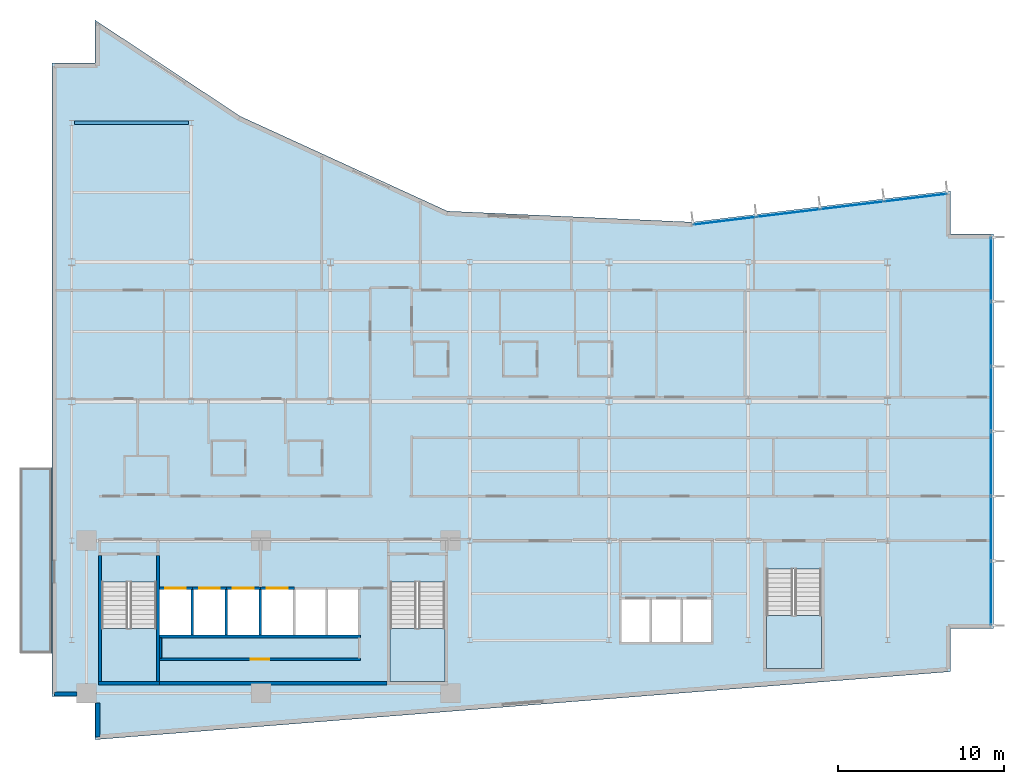
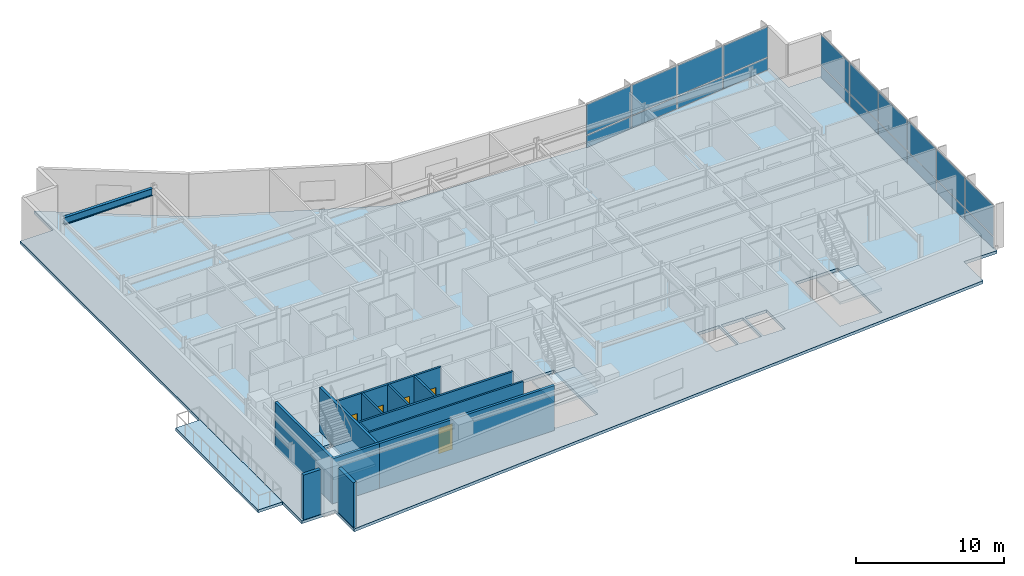
# One storey, part 9 of 18: 20 plates, 16 walls, 5 doors, 5 slabs, 1 beam, 5 openings, 5 elements without a shape of their own.
"""IFC4 building model written with IfcOpenShell, lengths in metres."""

from ifc_helpers import new_model, si_unit, direction, frame, frame_2d, origin, origin_2d, place, context, subcontext, project, spatial, polyline, rectangle, i_section, outline, extrude, material, layer, layer_set, material_profile, profile_set, type_object, element, fill, aggregate, save


model = new_model("IFC4")

# Units and contexts
model_context = context("Model", 3, precision=1e-05, world=origin(), true_north=direction((0.0, 1.0)))
body_context = subcontext(model_context, "Body", "Model", "MODEL_VIEW")
ifc_project = project(units=[si_unit("LENGTHUNIT", "METRE"), si_unit("AREAUNIT", "SQUARE_METRE"), si_unit("VOLUMEUNIT", "CUBIC_METRE"), si_unit("PLANEANGLEUNIT", "RADIAN"), si_unit("MASSUNIT", "GRAM", prefix="KILO")], contexts=[model_context])

# Site, building, storey
site_placement = place(None, origin())
site = spatial("IfcSite", under=ifc_project, at=site_placement, CompositionType="ELEMENT")
building_placement = place(site_placement, origin())
building = spatial("IfcBuilding", under=site, at=building_placement, Name="Varnakote Quay Hospital", CompositionType="ELEMENT")
storey_placement = place(building_placement, frame((0.0, 0.0, 158.64990234375)))
storey = spatial("IfcBuildingStorey", under=building, at=storey_placement, Name="L39", CompositionType="ELEMENT", Elevation=158.64990234375)

# Beam
ifc_material_1 = material(Name="Structural steel AS/NZS 3679.1 Grade 350 L0 (fy 340 MPa)", Category="steel")
ifc_material_profile = material_profile(ifc_material_1, i_section(OverallWidth=0.22802734375, OverallDepth=0.60205078125, WebThickness=0.010498046875, FlangeThickness=0.014892578125, FilletRadius=0.013916015625, at=origin_2d()), Name="610UB101")
ifc_profile_set = profile_set([ifc_material_profile], Name="Structural steel AS/NZS 3679.1 Grade 350 L0 (fy 340 MPa)")
beam_type = type_object("IfcBeamType", Name="BM-STL-610UB101", PredefinedType="BEAM", material=ifc_profile_set)
beam_placement = place(storey_placement, frame((1.353515625, 37.199951171875, 3.4091796875), z_axis=(1.0, 0.0, 0.0), x_axis=(0.0, 1.0, 0.0)))
element("IfcBeam", 1, at=beam_placement, inside=storey, type_object=beam_type, Name="L39 Primary Floor Beam", PredefinedType="BEAM", context=body_context, shape_type="SweptSolid", body=[
    extrude(i_section(OverallWidth=0.22802734375, OverallDepth=0.60205078125, WebThickness=0.010498046875, FlangeThickness=0.014892578125, FilletRadius=0.013916015625, at=origin_2d()), origin(), (0.0, 0.0, 1.0), 6.89306640625),
])

# Curtain wall, plates
ifc_material_2 = material(Name="Anodised aluminium 6063-T6 Bronze", Category="aluminium")
ifc_layer_1 = layer(ifc_material_2, 0.205078125)
ifc_layer_set_1 = layer_set([ifc_layer_1], Name="Anodised aluminium 6063-T6 Bronze")
curtain_wall_type = type_object("IfcCurtainWallType", Name="CW-SYS-3", PredefinedType="NOTDEFINED", material=ifc_layer_set_1)
curtain_wall_1_placement = place(storey_placement, origin())
curtain_wall_1 = element("IfcCurtainWall", 2, at=curtain_wall_1_placement, inside=storey, type_object=curtain_wall_type, Name="L39 Unitised Bronze Curtain Wall 1", PredefinedType="NOTDEFINED")
ifc_material_3 = material(Name="Double-glazed low-E solar glass", Category="glass")
ifc_layer_2 = layer(ifc_material_3, 0.028076171875)
ifc_layer_set_2 = layer_set([ifc_layer_2], Name="Double-glazed low-E solar glass")
plate_type = type_object("IfcPlateType", Name="CW-PNL-GLZ-28", PredefinedType="CURTAIN_PANEL", material=ifc_layer_set_2)
plate_1_placement = place(storey_placement, frame((56.639892578125, 8.83544921875, 0.0751953125), z_axis=(0.0, 0.0, 1.0), x_axis=(0.0, 1.0, 0.0)))
plate_1 = element("IfcPlate", 3, at=plate_1_placement, type_object=plate_type, Name="-3-L39-1 panel 1.1", PredefinedType="CURTAIN_PANEL", context=body_context, shape_type="SweptSolid", body=[
    extrude(rectangle(XDim=3.80078125, YDim=0.028076171875, at=origin_2d()), origin(), (0.0, 0.0, 1.0), 0.987548828125),
])
plate_2_placement = place(storey_placement, frame((56.639892578125, 8.83544921875, 1.137451171875), z_axis=(0.0, 0.0, 1.0), x_axis=(0.0, 1.0, 0.0)))
plate_2 = element("IfcPlate", 4, at=plate_2_placement, type_object=plate_type, Name="-3-L39-1 panel 1.2", PredefinedType="CURTAIN_PANEL", context=body_context, shape_type="SweptSolid", body=[
    extrude(rectangle(XDim=3.80078125, YDim=0.028076171875, at=origin_2d()), origin(), (0.0, 0.0, 1.0), 2.49755859375),
])
plate_3_placement = place(storey_placement, frame((56.639892578125, 12.72998046875, 0.0751953125), z_axis=(0.0, 0.0, 1.0), x_axis=(0.0, 1.0, 0.0)))
plate_3 = element("IfcPlate", 5, at=plate_3_placement, type_object=plate_type, Name="-3-L39-1 panel 2.1", PredefinedType="CURTAIN_PANEL", context=body_context, shape_type="SweptSolid", body=[
    extrude(rectangle(XDim=3.83837890625, YDim=0.028076171875, at=origin_2d()), origin(), (0.0, 0.0, 1.0), 0.987548828125),
])
plate_4_placement = place(storey_placement, frame((56.639892578125, 12.72998046875, 1.137451171875), z_axis=(0.0, 0.0, 1.0), x_axis=(0.0, 1.0, 0.0)))
plate_4 = element("IfcPlate", 6, at=plate_4_placement, type_object=plate_type, Name="-3-L39-1 panel 2.2", PredefinedType="CURTAIN_PANEL", context=body_context, shape_type="SweptSolid", body=[
    extrude(rectangle(XDim=3.83837890625, YDim=0.028076171875, at=origin_2d()), origin(), (0.0, 0.0, 1.0), 2.49755859375),
])
plate_5_placement = place(storey_placement, frame((56.639892578125, 16.643310546875, 0.0751953125), z_axis=(0.0, 0.0, 1.0), x_axis=(0.0, 1.0, 0.0)))
plate_5 = element("IfcPlate", 7, at=plate_5_placement, type_object=plate_type, Name="-3-L39-1 panel 3.1", PredefinedType="CURTAIN_PANEL", context=body_context, shape_type="SweptSolid", body=[
    extrude(rectangle(XDim=3.83837890625, YDim=0.028076171875, at=origin_2d()), origin(), (0.0, 0.0, 1.0), 0.987548828125),
])
plate_6_placement = place(storey_placement, frame((56.639892578125, 16.643310546875, 1.137451171875), z_axis=(0.0, 0.0, 1.0), x_axis=(0.0, 1.0, 0.0)))
plate_6 = element("IfcPlate", 8, at=plate_6_placement, type_object=plate_type, Name="-3-L39-1 panel 3.2", PredefinedType="CURTAIN_PANEL", context=body_context, shape_type="SweptSolid", body=[
    extrude(rectangle(XDim=3.83837890625, YDim=0.028076171875, at=origin_2d()), origin(), (0.0, 0.0, 1.0), 2.49755859375),
])
plate_7_placement = place(storey_placement, frame((56.639892578125, 20.556640625, 0.0751953125), z_axis=(0.0, 0.0, 1.0), x_axis=(0.0, 1.0, 0.0)))
plate_7 = element("IfcPlate", 9, at=plate_7_placement, type_object=plate_type, Name="-3-L39-1 panel 4.1", PredefinedType="CURTAIN_PANEL", context=body_context, shape_type="SweptSolid", body=[
    extrude(rectangle(XDim=3.83837890625, YDim=0.028076171875, at=origin_2d()), origin(), (0.0, 0.0, 1.0), 0.987548828125),
])
plate_8_placement = place(storey_placement, frame((56.639892578125, 20.556640625, 1.137451171875), z_axis=(0.0, 0.0, 1.0), x_axis=(0.0, 1.0, 0.0)))
plate_8 = element("IfcPlate", 10, at=plate_8_placement, type_object=plate_type, Name="-3-L39-1 panel 4.2", PredefinedType="CURTAIN_PANEL", context=body_context, shape_type="SweptSolid", body=[
    extrude(rectangle(XDim=3.83837890625, YDim=0.028076171875, at=origin_2d()), origin(), (0.0, 0.0, 1.0), 2.49755859375),
])
plate_9_placement = place(storey_placement, frame((56.639892578125, 24.469970703125, 0.0751953125), z_axis=(0.0, 0.0, 1.0), x_axis=(0.0, 1.0, 0.0)))
plate_9 = element("IfcPlate", 11, at=plate_9_placement, type_object=plate_type, Name="-3-L39-1 panel 5.1", PredefinedType="CURTAIN_PANEL", context=body_context, shape_type="SweptSolid", body=[
    extrude(rectangle(XDim=3.83837890625, YDim=0.028076171875, at=origin_2d()), origin(), (0.0, 0.0, 1.0), 0.987548828125),
])
plate_10_placement = place(storey_placement, frame((56.639892578125, 24.469970703125, 1.137451171875), z_axis=(0.0, 0.0, 1.0), x_axis=(0.0, 1.0, 0.0)))
plate_10 = element("IfcPlate", 12, at=plate_10_placement, type_object=plate_type, Name="-3-L39-1 panel 5.2", PredefinedType="CURTAIN_PANEL", context=body_context, shape_type="SweptSolid", body=[
    extrude(rectangle(XDim=3.83837890625, YDim=0.028076171875, at=origin_2d()), origin(), (0.0, 0.0, 1.0), 2.49755859375),
])
plate_11_placement = place(storey_placement, frame((56.639892578125, 28.364501953125, 0.0751953125), z_axis=(0.0, 0.0, 1.0), x_axis=(0.0, 1.0, 0.0)))
plate_11 = element("IfcPlate", 13, at=plate_11_placement, type_object=plate_type, Name="-3-L39-1 panel 6.1", PredefinedType="CURTAIN_PANEL", context=body_context, shape_type="SweptSolid", body=[
    extrude(rectangle(XDim=3.80078125, YDim=0.028076171875, at=origin_2d()), origin(), (0.0, 0.0, 1.0), 0.987548828125),
])
plate_12_placement = place(storey_placement, frame((56.639892578125, 28.364501953125, 1.137451171875), z_axis=(0.0, 0.0, 1.0), x_axis=(0.0, 1.0, 0.0)))
plate_12 = element("IfcPlate", 14, at=plate_12_placement, type_object=plate_type, Name="-3-L39-1 panel 6.2", PredefinedType="CURTAIN_PANEL", context=body_context, shape_type="SweptSolid", body=[
    extrude(rectangle(XDim=3.80078125, YDim=0.028076171875, at=origin_2d()), origin(), (0.0, 0.0, 1.0), 2.49755859375),
])
aggregate(curtain_wall_1, [plate_1, plate_2, plate_3, plate_4, plate_5, plate_6, plate_7, plate_8, plate_9, plate_10, plate_11, plate_12])

curtain_wall_2_placement = place(storey_placement, origin())
curtain_wall_2 = element("IfcCurtainWall", 15, at=curtain_wall_2_placement, inside=storey, type_object=curtain_wall_type, Name="L39 Unitised Bronze Curtain Wall 2", PredefinedType="NOTDEFINED")
plate_13_placement = place(storey_placement, frame((52.09521484375, 32.68359375, 0.0751953125), z_axis=(0.0, 0.0, 1.0), x_axis=(-0.992734295067, -0.12032713492, 0.0)))
plate_13 = element("IfcPlate", 16, at=plate_13_placement, type_object=plate_type, Name="-3-L39-2 panel 1.1", PredefinedType="CURTAIN_PANEL", context=body_context, shape_type="SweptSolid", body=[
    extrude(rectangle(XDim=3.76806640625, YDim=0.028076171875, at=origin_2d()), origin(), (0.0, 0.0, 1.0), 0.987548828125),
])
plate_14_placement = place(storey_placement, frame((52.09521484375, 32.68359375, 1.137451171875), z_axis=(0.0, 0.0, 1.0), x_axis=(-0.992734295067, -0.12032713492, 0.0)))
plate_14 = element("IfcPlate", 17, at=plate_14_placement, type_object=plate_type, Name="-3-L39-2 panel 1.2", PredefinedType="CURTAIN_PANEL", context=body_context, shape_type="SweptSolid", body=[
    extrude(rectangle(XDim=3.76806640625, YDim=0.028076171875, at=origin_2d()), origin(), (0.0, 0.0, 1.0), 2.49755859375),
])
plate_15_placement = place(storey_placement, frame((48.26123046875, 32.218994140625, 0.0751953125), z_axis=(0.0, 0.0, 1.0), x_axis=(-0.992734295067, -0.12032713492, 0.0)))
plate_15 = element("IfcPlate", 18, at=plate_15_placement, type_object=plate_type, Name="-3-L39-2 panel 2.1", PredefinedType="CURTAIN_PANEL", context=body_context, shape_type="SweptSolid", body=[
    extrude(rectangle(XDim=3.8056640625, YDim=0.028076171875, at=origin_2d()), origin(), (0.0, 0.0, 1.0), 0.987548828125),
])
plate_16_placement = place(storey_placement, frame((48.26123046875, 32.218994140625, 1.137451171875), z_axis=(0.0, 0.0, 1.0), x_axis=(-0.992734295067, -0.12032713492, 0.0)))
plate_16 = element("IfcPlate", 19, at=plate_16_placement, type_object=plate_type, Name="-3-L39-2 panel 2.2", PredefinedType="CURTAIN_PANEL", context=body_context, shape_type="SweptSolid", body=[
    extrude(rectangle(XDim=3.8056640625, YDim=0.028076171875, at=origin_2d()), origin(), (0.0, 0.0, 1.0), 2.49755859375),
])
plate_17_placement = place(storey_placement, frame((44.40869140625, 31.751953125, 0.0751953125), z_axis=(0.0, 0.0, 1.0), x_axis=(-0.992734295067, -0.12032713492, 0.0)))
plate_17 = element("IfcPlate", 20, at=plate_17_placement, type_object=plate_type, Name="-3-L39-2 panel 3.1", PredefinedType="CURTAIN_PANEL", context=body_context, shape_type="SweptSolid", body=[
    extrude(rectangle(XDim=3.8056640625, YDim=0.028076171875, at=origin_2d()), origin(), (0.0, 0.0, 1.0), 0.987548828125),
])
plate_18_placement = place(storey_placement, frame((44.40869140625, 31.751953125, 1.137451171875), z_axis=(0.0, 0.0, 1.0), x_axis=(-0.992734295067, -0.12032713492, 0.0)))
plate_18 = element("IfcPlate", 21, at=plate_18_placement, type_object=plate_type, Name="-3-L39-2 panel 3.2", PredefinedType="CURTAIN_PANEL", context=body_context, shape_type="SweptSolid", body=[
    extrude(rectangle(XDim=3.8056640625, YDim=0.028076171875, at=origin_2d()), origin(), (0.0, 0.0, 1.0), 2.49755859375),
])
plate_19_placement = place(storey_placement, frame((40.574951171875, 31.287353515625, 0.0751953125), z_axis=(0.0, 0.0, 1.0), x_axis=(-0.992734295067, -0.12032713492, 0.0)))
plate_19 = element("IfcPlate", 22, at=plate_19_placement, type_object=plate_type, Name="-3-L39-2 panel 4.1", PredefinedType="CURTAIN_PANEL", context=body_context, shape_type="SweptSolid", body=[
    extrude(rectangle(XDim=3.76806640625, YDim=0.028076171875, at=origin_2d()), origin(), (0.0, 0.0, 1.0), 0.987548828125),
])
plate_20_placement = place(storey_placement, frame((40.574951171875, 31.287353515625, 1.137451171875), z_axis=(0.0, 0.0, 1.0), x_axis=(-0.992734295067, -0.12032713492, 0.0)))
plate_20 = element("IfcPlate", 23, at=plate_20_placement, type_object=plate_type, Name="-3-L39-2 panel 4.2", PredefinedType="CURTAIN_PANEL", context=body_context, shape_type="SweptSolid", body=[
    extrude(rectangle(XDim=3.76806640625, YDim=0.028076171875, at=origin_2d()), origin(), (0.0, 0.0, 1.0), 2.49755859375),
])
aggregate(curtain_wall_2, [plate_13, plate_14, plate_15, plate_16, plate_17, plate_18, plate_19, plate_20])

# Stair, slab
ifc_material_4 = material(Name="Concrete N40 (f'c 40 MPa)", Category="concrete")
stair_type = type_object("IfcStairType", Name="STR-CORE-1580", PredefinedType="HALF_TURN_STAIR", material=ifc_material_4)
stair_1_placement = place(storey_placement, origin())
stair_1 = element("IfcStair", 24, at=stair_1_placement, inside=storey, type_object=stair_type, Name="L39 Fire-Isolated Exit Stair ST-01", PredefinedType="HALF_TURN_STAIR")
ifc_material_5 = material(Name="Concrete N40 (f'c 40 MPa)", Category="concrete")
ifc_layer_3 = layer(ifc_material_5, 0.199951171875)
ifc_layer_set_3 = layer_set([ifc_layer_3], Name="Concrete N40 (f'c 40 MPa)")
slab_type_1 = type_object("IfcSlabType", Name="SLB-STAIR-LND-200", PredefinedType="LANDING", material=ifc_layer_set_3)
slab_1_placement = place(storey_placement, frame((0.0, 0.0, 1.775146484375)))
slab_1 = element("IfcSlab", 25, at=slab_1_placement, type_object=slab_type_1, Name="ST-01 landing 1", PredefinedType="LANDING", context=body_context, shape_type="SweptSolid", body=[
    extrude(outline(polyline([(3.0, 6.699951171875), (3.0, 3.5), (6.300048828125, 3.5), (6.300048828125, 6.699951171875), (3.0, 6.699951171875)])), origin(), (0.0, 0.0, 1.0), 0.199951171875),
])
aggregate(stair_1, [slab_1])

stair_2_placement = place(storey_placement, origin())
stair_2 = element("IfcStair", 26, at=stair_2_placement, inside=storey, type_object=stair_type, Name="L39 Fire-Isolated Exit Stair ST-02", PredefinedType="HALF_TURN_STAIR")
slab_2_placement = place(storey_placement, frame((0.0, 0.0, 1.775146484375)))
slab_2 = element("IfcSlab", 27, at=slab_2_placement, type_object=slab_type_1, Name="ST-02 landing 1", PredefinedType="LANDING", context=body_context, shape_type="SweptSolid", body=[
    extrude(outline(polyline([(20.39990234375, 6.699951171875), (20.39990234375, 3.5), (23.699951171875, 3.5), (23.699951171875, 6.699951171875), (20.39990234375, 6.699951171875)])), origin(), (0.0, 0.0, 1.0), 0.199951171875),
])
aggregate(stair_2, [slab_2])

stair_3_placement = place(storey_placement, origin())
stair_3 = element("IfcStair", 28, at=stair_3_placement, inside=storey, type_object=stair_type, Name="L39 Fire-Isolated Exit Stair ST-03", PredefinedType="HALF_TURN_STAIR")
slab_3_placement = place(storey_placement, frame((0.0, 0.0, 1.775146484375)))
slab_3 = element("IfcSlab", 29, at=slab_3_placement, type_object=slab_type_1, Name="ST-03 landing 1", PredefinedType="LANDING", context=body_context, shape_type="SweptSolid", body=[
    extrude(outline(polyline([(43.10009765625, 7.5), (43.10009765625, 4.300048828125), (46.39990234375, 4.300048828125), (46.39990234375, 7.5), (43.10009765625, 7.5)])), origin(), (0.0, 0.0, 1.0), 0.199951171875),
])
aggregate(stair_3, [slab_3])

# Slabs
ifc_material_6 = material(Name="Concrete N50 (f'c 50 MPa)", Category="concrete")
ifc_layer_4 = layer(ifc_material_6, 0.239990234375)
ifc_layer_set_4 = layer_set([ifc_layer_4], Name="Concrete N50 (f'c 50 MPa)")
slab_type_2 = type_object("IfcSlabType", Name="SLB-TERR-200", PredefinedType="FLOOR", material=ifc_layer_set_4)
slab_4_placement = place(storey_placement, frame((0.0, 0.0, -0.239990234375)))
element("IfcSlab", 30, at=slab_4_placement, inside=storey, type_object=slab_type_2, Name="L39 Waterfront Healing Terrace Slab", PredefinedType="FLOOR", context=body_context, shape_type="SweptSolid", body=[
    extrude(outline(polyline([(0.00390625, 5.199951171875), (0.00390625, 16.39990234375), (-1.919921875, 16.39990234375), (-1.919921875, 5.199951171875), (0.00390625, 5.199951171875)])), origin(), (0.0, 0.0, 1.0), 0.239990234375),
])
ifc_material_7 = material(Name="Concrete N50 (f'c 50 MPa)", Category="concrete")
ifc_layer_5 = layer(ifc_material_7, 0.239990234375)
ifc_layer_set_5 = layer_set([ifc_layer_5], Name="Concrete N50 (f'c 50 MPa)")
slab_type_3 = type_object("IfcSlabType", Name="SLB-WARD-200", PredefinedType="FLOOR", material=ifc_layer_set_5)
slab_5_placement = place(storey_placement, frame((0.0, 0.0, -0.239990234375)))
element("IfcSlab", 31, at=slab_5_placement, inside=storey, type_object=slab_type_3, Name="L39 Primary Floor Slab", PredefinedType="FLOOR", context=body_context, shape_type="SweptSolid", body=[
    extrude(outline(polyline([(0.0, 2.60009765625), (2.60009765625, 2.60009765625), (2.60009765625, 0.0), (54.199951171875, 4.10009765625), (54.199951171875, 6.699951171875), (56.800048828125, 6.699951171875), (56.800048828125, 30.5), (54.199951171875, 30.5), (54.199951171875, 33.10009765625), (38.6240234375, 31.2119140625), (23.85595703125, 31.8740234375), (11.360107421875, 37.595947265625), (2.60009765625, 43.39990234375), (2.60009765625, 40.800048828125), (0.0, 40.800048828125), (0.0, 2.60009765625)]), holes=[polyline([(3.0, 3.5), (6.300048828125, 3.5), (6.300048828125, 9.49951171875), (3.0, 9.49951171875), (3.0, 3.5)]), polyline([(20.39990234375, 3.5), (23.699951171875, 3.5), (23.699951171875, 9.49951171875), (20.39990234375, 9.49951171875), (20.39990234375, 3.5)]), polyline([(43.10009765625, 4.300048828125), (46.39990234375, 4.300048828125), (46.39990234375, 10.29931640625), (43.10009765625, 10.29931640625), (43.10009765625, 4.300048828125)]), polyline([(6.5, 6.300048828125), (8.39990234375, 6.300048828125), (8.39990234375, 9.050048828125), (6.5, 9.050048828125), (6.5, 6.300048828125)]), polyline([(8.550048828125, 6.300048828125), (10.449951171875, 6.300048828125), (10.449951171875, 9.050048828125), (8.550048828125, 9.050048828125), (8.550048828125, 6.300048828125)]), polyline([(10.60009765625, 6.300048828125), (12.5, 6.300048828125), (12.5, 9.050048828125), (10.60009765625, 9.050048828125), (10.60009765625, 6.300048828125)]), polyline([(12.64990234375, 6.300048828125), (14.550048828125, 6.300048828125), (14.550048828125, 9.050048828125), (12.64990234375, 9.050048828125), (12.64990234375, 6.300048828125)]), polyline([(14.699951171875, 6.300048828125), (16.5, 6.300048828125), (16.5, 9.050048828125), (14.699951171875, 9.050048828125), (14.699951171875, 6.300048828125)]), polyline([(16.64990234375, 6.300048828125), (18.449951171875, 6.300048828125), (18.449951171875, 9.050048828125), (16.64990234375, 9.050048828125), (16.64990234375, 6.300048828125)]), polyline([(34.35009765625, 5.89990234375), (36.050048828125, 5.89990234375), (36.050048828125, 8.449951171875), (34.35009765625, 8.449951171875), (34.35009765625, 5.89990234375)]), polyline([(36.199951171875, 5.89990234375), (37.89990234375, 5.89990234375), (37.89990234375, 8.449951171875), (36.199951171875, 8.449951171875), (36.199951171875, 5.89990234375)]), polyline([(38.050048828125, 5.89990234375), (39.75, 5.89990234375), (39.75, 8.449951171875), (38.050048828125, 8.449951171875), (38.050048828125, 5.89990234375)])]), origin(), (0.0, 0.0, 1.0), 0.239990234375),
])

# Walls
ifc_material_8 = material(Name="Concrete N65 (f'c 65 MPa)", Category="concrete")
ifc_layer_6 = layer(ifc_material_8, 0.199951171875)
ifc_layer_set_6 = layer_set([ifc_layer_6], Name="Concrete N65 (f'c 65 MPa)")
wall_type_1 = type_object("IfcWallType", Name="WL-CORE-N65-200", PredefinedType="SHEAR", material=ifc_layer_set_6)
wall_1_placement = place(storey_placement, frame((6.5, 3.39990234375, 0.0), z_axis=(0.0, 0.0, 1.0), x_axis=(1.0, 0.0, 0.0)))
element("IfcWall", 32, at=wall_1_placement, inside=storey, type_object=wall_type_1, Name="L39 Rear Core South Shear Wall", PredefinedType="SHEAR", context=body_context, shape_type="SweptSolid", body=[
    extrude(rectangle(XDim=13.699951171875, YDim=0.199951171875, at=frame_2d((6.85009765625, 0.0))), origin(), (0.0, 0.0, 1.0), 3.710205078125),
])
ifc_material_9 = material(Name="Precast concrete N50 (f'c 50 MPa)", Category="concrete")
ifc_layer_7 = layer(ifc_material_9, 0.260009765625)
ifc_layer_set_7 = layer_set([ifc_layer_7], Name="Precast concrete N50 (f'c 50 MPa)")
wall_type_2 = type_object("IfcWallType", Name="WL-EXT-BRICK-260", PredefinedType="STANDARD", material=ifc_layer_set_7)
wall_2_placement = place(storey_placement, frame((2.760009765625, 2.215087890625, 0.0), z_axis=(0.0, 0.0, 1.0), x_axis=(0.0, -1.0, 0.0)))
element("IfcWall", 33, at=wall_2_placement, inside=storey, type_object=wall_type_2, Name="L39 Brick-Faced Precast Exterior Wall", PredefinedType="STANDARD", context=body_context, shape_type="SweptSolid", body=[
    extrude(rectangle(XDim=2.0419921875, YDim=0.260009765625, at=frame_2d((1.02099609375, 0.0))), origin(), (0.0, 0.0, 1.0), 3.710205078125),
])
wall_3_placement = place(storey_placement, frame((0.159912109375, 2.760009765625, 0.0), z_axis=(0.0, 0.0, 1.0), x_axis=(1.0, 0.0, 0.0)))
element("IfcWall", 34, at=wall_3_placement, inside=storey, type_object=wall_type_2, Name="L39 Brick-Faced Precast Exterior Wall", PredefinedType="STANDARD", context=body_context, shape_type="SweptSolid", body=[
    extrude(rectangle(XDim=1.35498046875, YDim=0.260009765625, at=frame_2d((0.677490234375, 0.0))), origin(), (0.0, 0.0, 1.0), 3.710205078125),
])
ifc_material_10 = material(Name="Concrete N50 (f'c 50 MPa)", Category="concrete")
ifc_layer_8 = layer(ifc_material_10, 0.14990234375)
ifc_layer_set_8 = layer_set([ifc_layer_8], Name="Concrete N50 (f'c 50 MPa)")
wall_type_3 = type_object("IfcWallType", Name="WL-SHAFT-N50-150", PredefinedType="SHEAR", material=ifc_layer_set_8)
for number, where, z_axis, x_axis, name in (
    (35, (8.47509765625, 6.300048828125, 0.0), (0.0, 0.0, 1.0), (0.0, 1.0, 0.0), "L39 LF-FF1 Hoistway Divider Wall"),
    (36, (10.52490234375, 6.300048828125, 0.0), (0.0, 0.0, 1.0), (0.0, 1.0, 0.0), "L39 LF-FF2 Hoistway Divider Wall"),
    (37, (12.574951171875, 6.300048828125, 0.0), (0.0, 0.0, 1.0), (0.0, 1.0, 0.0), "L39 LF-SV1 Hoistway Divider Wall"),
):
    element("IfcWall", number, at=place(storey_placement, frame(where, z_axis=z_axis, x_axis=x_axis)), inside=storey, type_object=wall_type_3, Name=name, PredefinedType="SHEAR", context=body_context, shape_type="SweptSolid", body=[
        extrude(rectangle(XDim=2.75, YDim=0.14990234375, at=frame_2d((1.375, 0.0))), origin(), (0.0, 0.0, 1.0), 3.710205078125),
    ])
ifc_material_11 = material(Name="Concrete N50 (f'c 50 MPa)", Category="concrete")
ifc_layer_9 = layer(ifc_material_11, 0.159912109375)
ifc_layer_set_9 = layer_set([ifc_layer_9], Name="Concrete N50 (f'c 50 MPa)")
wall_type_4 = type_object("IfcWallType", Name="WL-SHAFT-N50-160", PredefinedType="SHEAR", material=ifc_layer_set_9)
wall_4_placement = place(storey_placement, frame((6.5, 6.219970703125, 0.0), z_axis=(0.0, 0.0, 1.0), x_axis=(1.0, 0.0, 0.0)))
element("IfcWall", 38, at=wall_4_placement, inside=storey, type_object=wall_type_4, Name="L39 REAR Lift Bank Back Shear Wall", PredefinedType="SHEAR", context=body_context, shape_type="SweptSolid", body=[
    extrude(rectangle(XDim=12.110107421875, YDim=0.159912109375, at=frame_2d((6.05517578125, 0.0))), origin(), (0.0, 0.0, 1.0), 3.710205078125),
])

# Wall, opening, door
wall_5_placement = place(storey_placement, frame((6.5, 9.1298828125, 0.0), z_axis=(0.0, 0.0, 1.0), x_axis=(1.0, 0.0, 0.0)))
wall_5 = element("IfcWall", 39, at=wall_5_placement, inside=storey, type_object=wall_type_4, Name="L39 LF-FF1 Hoistway Front Wall", PredefinedType="SHEAR", context=body_context, shape_type="SweptSolid", body=[
    extrude(rectangle(XDim=1.97509765625, YDim=0.159912109375, at=frame_2d((0.987548828125, 0.0))), origin(), (0.0, 0.0, 1.0), 3.710205078125),
])
opening_1_placement = place(wall_5_placement, frame((0.324951171875, 0.0, 0.0)))
opening_1 = element("IfcOpeningElement", 40, at=opening_1_placement, cuts=wall_5, Name="Opening LD-FF1-L39", PredefinedType="OPENING", context=body_context, shape_type="SweptSolid", body=[
    extrude(rectangle(XDim=1.25, YDim=2.14990234375, at=frame_2d((0.625, 1.074951171875))), frame((0.0, 0.08984375, 0.0), z_axis=(0.0, -1.0, 0.0), x_axis=(1.0, 0.0, 0.0)), (0.0, 0.0, 1.0), 0.179931640625),
])
ifc_material_12 = material(Name="Stainless steel lift landing sliding door", Category="steel")
door_type_1 = type_object("IfcDoorType", Name="DR-LIFT-LD-1250x2150", OperationType="NOTDEFINED", PredefinedType="DOOR", material=ifc_material_12)
door_1_placement = place(opening_1_placement, origin())
door_1 = element("IfcDoor", 41, at=door_1_placement, inside=storey, type_object=door_type_1, Name="L39 LF-FF1 Lift Landing Sliding Door", OperationType="SLIDING_TO_LEFT", OverallHeight=2.14990234375, OverallWidth=1.25, PredefinedType="DOOR", context=body_context, shape_type="SweptSolid", body=[
    extrude(rectangle(XDim=1.25, YDim=2.14990234375, at=frame_2d((0.625, 1.074951171875))), frame((0.0, 0.02490234375, 0.0), z_axis=(0.0, -1.0, 0.0), x_axis=(1.0, 0.0, 0.0)), (0.0, 0.0, 1.0), 0.050048828125),
])
fill(opening_1, door_1)

wall_6_placement = place(storey_placement, frame((8.47509765625, 9.1298828125, 0.0), z_axis=(0.0, 0.0, 1.0), x_axis=(1.0, 0.0, 0.0)))
wall_6 = element("IfcWall", 42, at=wall_6_placement, inside=storey, type_object=wall_type_4, Name="L39 LF-FF2 Hoistway Front Wall", PredefinedType="SHEAR", context=body_context, shape_type="SweptSolid", body=[
    extrude(rectangle(XDim=2.0498046875, YDim=0.159912109375, at=frame_2d((1.02490234375, 0.0))), origin(), (0.0, 0.0, 1.0), 3.710205078125),
])
opening_2_placement = place(wall_6_placement, frame((0.39990234375, 0.0, 0.0)))
opening_2 = element("IfcOpeningElement", 43, at=opening_2_placement, cuts=wall_6, Name="Opening LD-FF2-L39", PredefinedType="OPENING", context=body_context, shape_type="SweptSolid", body=[
    extrude(rectangle(XDim=1.25, YDim=2.14990234375, at=frame_2d((0.625, 1.074951171875))), frame((0.0, 0.08984375, 0.0), z_axis=(0.0, -1.0, 0.0), x_axis=(1.0, 0.0, 0.0)), (0.0, 0.0, 1.0), 0.179931640625),
])
door_2_placement = place(opening_2_placement, origin())
door_2 = element("IfcDoor", 44, at=door_2_placement, inside=storey, type_object=door_type_1, Name="L39 LF-FF2 Lift Landing Sliding Door", OperationType="SLIDING_TO_LEFT", OverallHeight=2.14990234375, OverallWidth=1.25, PredefinedType="DOOR", context=body_context, shape_type="SweptSolid", body=[
    extrude(rectangle(XDim=1.25, YDim=2.14990234375, at=frame_2d((0.625, 1.074951171875))), frame((0.0, 0.02490234375, 0.0), z_axis=(0.0, -1.0, 0.0), x_axis=(1.0, 0.0, 0.0)), (0.0, 0.0, 1.0), 0.050048828125),
])
fill(opening_2, door_2)

wall_7_placement = place(storey_placement, frame((10.52490234375, 9.1298828125, 0.0), z_axis=(0.0, 0.0, 1.0), x_axis=(1.0, 0.0, 0.0)))
wall_7 = element("IfcWall", 45, at=wall_7_placement, inside=storey, type_object=wall_type_4, Name="L39 LF-SV1 Hoistway Front Wall", PredefinedType="SHEAR", context=body_context, shape_type="SweptSolid", body=[
    extrude(rectangle(XDim=2.050048828125, YDim=0.159912109375, at=frame_2d((1.02490234375, 0.0))), origin(), (0.0, 0.0, 1.0), 3.710205078125),
])
opening_3_placement = place(wall_7_placement, frame((0.39990234375, 0.0, 0.0)))
opening_3 = element("IfcOpeningElement", 46, at=opening_3_placement, cuts=wall_7, Name="Opening LD-SV1-L39", PredefinedType="OPENING", context=body_context, shape_type="SweptSolid", body=[
    extrude(rectangle(XDim=1.25, YDim=2.14990234375, at=frame_2d((0.625, 1.074951171875))), frame((0.0, 0.08984375, 0.0), z_axis=(0.0, -1.0, 0.0), x_axis=(1.0, 0.0, 0.0)), (0.0, 0.0, 1.0), 0.179931640625),
])
door_3_placement = place(opening_3_placement, origin())
door_3 = element("IfcDoor", 47, at=door_3_placement, inside=storey, type_object=door_type_1, Name="L39 LF-SV1 Lift Landing Sliding Door", OperationType="SLIDING_TO_LEFT", OverallHeight=2.14990234375, OverallWidth=1.25, PredefinedType="DOOR", context=body_context, shape_type="SweptSolid", body=[
    extrude(rectangle(XDim=1.25, YDim=2.14990234375, at=frame_2d((0.625, 1.074951171875))), frame((0.0, 0.02490234375, 0.0), z_axis=(0.0, -1.0, 0.0), x_axis=(1.0, 0.0, 0.0)), (0.0, 0.0, 1.0), 0.050048828125),
])
fill(opening_3, door_3)

wall_8_placement = place(storey_placement, frame((12.574951171875, 9.1298828125, 0.0), z_axis=(0.0, 0.0, 1.0), x_axis=(1.0, 0.0, 0.0)))
wall_8 = element("IfcWall", 48, at=wall_8_placement, inside=storey, type_object=wall_type_4, Name="L39 LF-SV2 Hoistway Front Wall", PredefinedType="SHEAR", context=body_context, shape_type="SweptSolid", body=[
    extrude(rectangle(XDim=2.050048828125, YDim=0.159912109375, at=frame_2d((1.02490234375, 0.0))), origin(), (0.0, 0.0, 1.0), 3.710205078125),
])
opening_4_placement = place(wall_8_placement, frame((0.39990234375, 0.0, 0.0)))
opening_4 = element("IfcOpeningElement", 49, at=opening_4_placement, cuts=wall_8, Name="Opening LD-SV2-L39", PredefinedType="OPENING", context=body_context, shape_type="SweptSolid", body=[
    extrude(rectangle(XDim=1.25, YDim=2.14990234375, at=frame_2d((0.625, 1.074951171875))), frame((0.0, 0.08984375, 0.0), z_axis=(0.0, -1.0, 0.0), x_axis=(1.0, 0.0, 0.0)), (0.0, 0.0, 1.0), 0.179931640625),
])
door_4_placement = place(opening_4_placement, origin())
door_4 = element("IfcDoor", 50, at=door_4_placement, inside=storey, type_object=door_type_1, Name="L39 LF-SV2 Lift Landing Sliding Door", OperationType="SLIDING_TO_LEFT", OverallHeight=2.14990234375, OverallWidth=1.25, PredefinedType="DOOR", context=body_context, shape_type="SweptSolid", body=[
    extrude(rectangle(XDim=1.25, YDim=2.14990234375, at=frame_2d((0.625, 1.074951171875))), frame((0.0, 0.02490234375, 0.0), z_axis=(0.0, -1.0, 0.0), x_axis=(1.0, 0.0, 0.0)), (0.0, 0.0, 1.0), 0.050048828125),
])
fill(opening_4, door_4)

# Walls
ifc_material_13 = material(Name="Concrete N50 (f'c 50 MPa)", Category="concrete")
ifc_layer_10 = layer(ifc_material_13, 0.199951171875)
ifc_layer_set_10 = layer_set([ifc_layer_10], Name="Concrete N50 (f'c 50 MPa)")
wall_type_5 = type_object("IfcWallType", Name="WL-SHAFT-N50-200", PredefinedType="SHEAR", material=ifc_layer_set_10)
wall_9_placement = place(storey_placement, frame((2.800048828125, 3.39990234375, 0.0), z_axis=(0.0, 0.0, 1.0), x_axis=(1.0, 0.0, 0.0)))
element("IfcWall", 51, at=wall_9_placement, inside=storey, type_object=wall_type_5, Name="L39 Stair ST1 South Shaft Wall", PredefinedType="SHEAR", context=body_context, shape_type="SweptSolid", body=[
    extrude(rectangle(XDim=3.699951171875, YDim=0.199951171875, at=frame_2d((1.85009765625, 0.0))), origin(), (0.0, 0.0, 1.0), 3.710205078125),
])
for number, where, z_axis, x_axis, name in (
    (52, (2.89990234375, 3.5, 0.0), (0.0, 0.0, 1.0), (0.0, 1.0, 0.0), "L39 Stair ST1 West Shaft Wall"),
    (53, (6.39990234375, 3.5, 0.0), (0.0, 0.0, 1.0), (0.0, 1.0, 0.0), "L39 Stair ST1 East Shaft Wall"),
):
    element("IfcWall", number, at=place(storey_placement, frame(where, z_axis=z_axis, x_axis=x_axis)), inside=storey, type_object=wall_type_5, Name=name, PredefinedType="SHEAR", context=body_context, shape_type="SweptSolid", body=[
        extrude(rectangle(XDim=7.60009765625, YDim=0.199951171875, at=frame_2d((3.800048828125, 0.0))), origin(), (0.0, 0.0, 1.0), 3.710205078125),
    ])
ifc_material_14 = material(Name="Smoke-proof clinical partition", Category="gypsum")
ifc_layer_11 = layer(ifc_material_14, 0.1201171875)
ifc_layer_set_11 = layer_set([ifc_layer_11], Name="Smoke-proof clinical partition")
wall_type_6 = type_object("IfcWallType", Name="WL-SMOKE-120", PredefinedType="PARTITIONING", material=ifc_layer_set_11)
wall_10_placement = place(storey_placement, frame((6.56005859375, 4.919921875, 0.0), z_axis=(0.0, 0.0, 1.0), x_axis=(0.0, 1.0, 0.0)))
element("IfcWall", 54, at=wall_10_placement, inside=storey, type_object=wall_type_6, Name="L39 Core Service Strip West Wall", PredefinedType="PARTITIONING", context=body_context, shape_type="SweptSolid", body=[
    extrude(rectangle(XDim=1.219970703125, YDim=0.1201171875, at=frame_2d((0.60986328125, 0.0))), origin(), (0.0, 0.0, 1.0), 3.710205078125),
])

# Wall, opening, door
ifc_material_15 = material(Name="Fire-rated clinical gypsum partition", Category="gypsum")
ifc_layer_12 = layer(ifc_material_15, 0.139892578125)
ifc_layer_set_12 = layer_set([ifc_layer_12], Name="Fire-rated clinical gypsum partition")
wall_type_7 = type_object("IfcWallType", Name="WL-WARD-140", PredefinedType="PARTITIONING", material=ifc_layer_set_12)
wall_11_placement = place(storey_placement, frame((6.5, 4.85009765625, 0.0), z_axis=(0.0, 0.0, 1.0), x_axis=(1.0, 0.0, 0.0)))
wall_11 = element("IfcWall", 55, at=wall_11_placement, inside=storey, type_object=wall_type_7, Name="L39 Core Clean Linen Store South Wall", PredefinedType="PARTITIONING", context=body_context, shape_type="SweptSolid", body=[
    extrude(rectangle(XDim=12.10009765625, YDim=0.139892578125, at=frame_2d((6.050048828125, 0.0))), origin(), (0.0, 0.0, 1.0), 3.710205078125),
])
opening_5_placement = place(wall_11_placement, frame((5.5, 0.0, 0.0)))
opening_5 = element("IfcOpeningElement", 56, at=opening_5_placement, cuts=wall_11, Name="Opening D-L39-CR01", PredefinedType="OPENING", context=body_context, shape_type="SweptSolid", body=[
    extrude(rectangle(XDim=1.10009765625, YDim=2.10009765625, at=frame_2d((0.550048828125, 1.050048828125))), frame((0.0, 0.079833984375, 0.0), z_axis=(0.0, -1.0, 0.0), x_axis=(1.0, 0.0, 0.0)), (0.0, 0.0, 1.0), 0.159912109375),
])
ifc_material_16 = material(Name="Acoustic timber clinical consult door", Category="wood")
door_type_2 = type_object("IfcDoorType", Name="DR-CLIN-FD30S-1100x2100", OperationType="NOTDEFINED", PredefinedType="DOOR", material=ifc_material_16)
door_5_placement = place(opening_5_placement, origin())
door_5 = element("IfcDoor", 57, at=door_5_placement, inside=storey, type_object=door_type_2, Name="L39 Core Clean Linen Store Door", OperationType="SINGLE_SWING_LEFT", OverallHeight=2.10009765625, OverallWidth=1.10009765625, PredefinedType="DOOR", context=body_context, shape_type="SweptSolid", body=[
    extrude(rectangle(XDim=1.10009765625, YDim=2.10009765625, at=frame_2d((0.550048828125, 1.050048828125))), frame((0.0, 0.02490234375, 0.0), z_axis=(0.0, -1.0, 0.0), x_axis=(1.0, 0.0, 0.0)), (0.0, 0.0, 1.0), 0.050048828125),
])
fill(opening_5, door_5)

save(model, "model.ifc")
